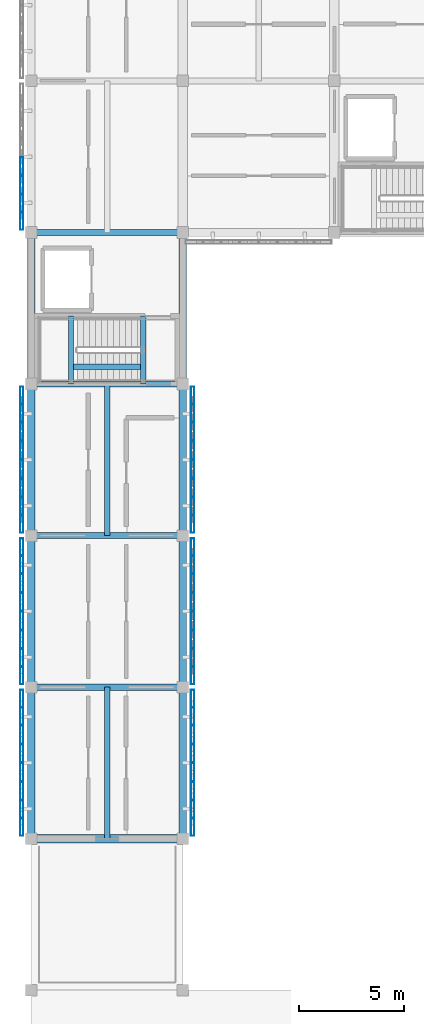
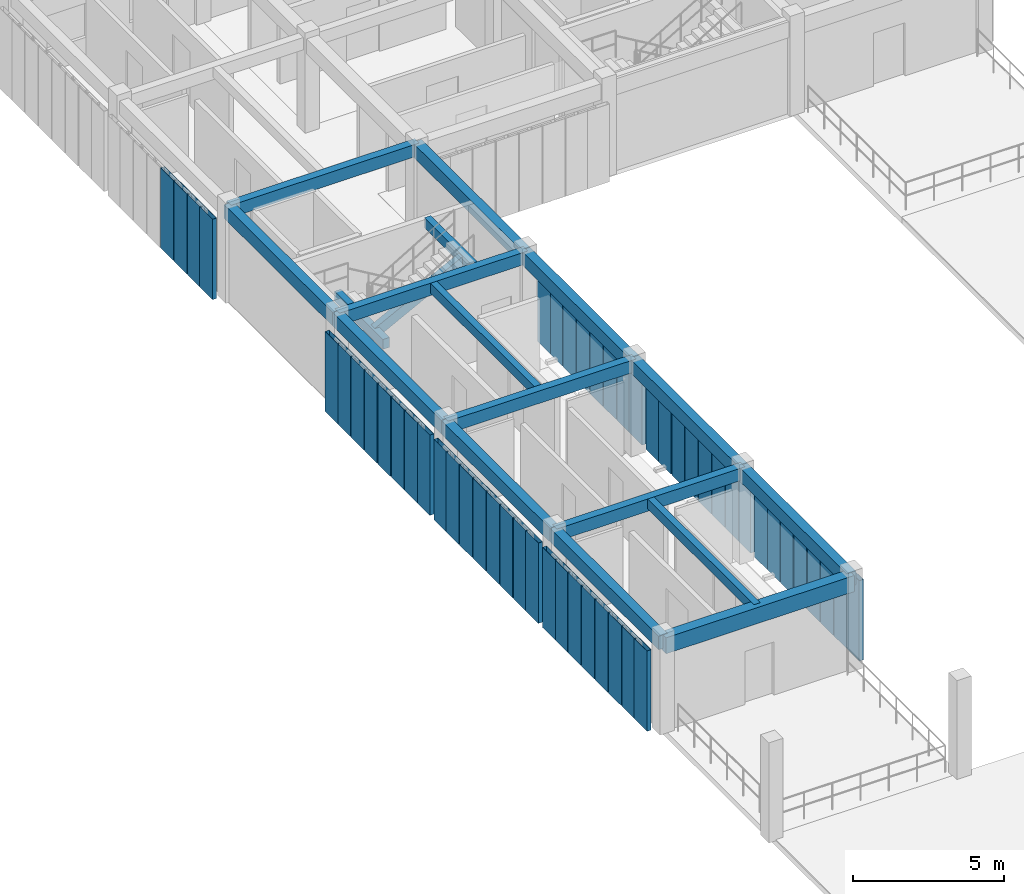
# One storey, part 3 of 33: 52 members, 18 beams, 7 elements without a shape of their own.
"""IFC4 building model written with IfcOpenShell, lengths in metres."""

import ifcopenshell
import ifcopenshell.guid

model = None  # the IFC model being written
_history = None  # IfcOwnerHistory: only IFC2X3 demands one
_inside = {}  # id of a spatial element -> (the spatial element, [elements in it])
_under = {}  # id of a project, library or spatial element -> (it, [spatial elements below it])
_declared = {}  # id of a project -> (the project, [libraries it declares])
_typed = {}  # id of a type object -> (the type object, [elements of that type])
_made_of = {}  # id of a material, layer set ... -> (it, [elements and type objects made of it])


def new_model(schema):
    """Start an empty IFC model of exactly this schema.

    Asked for "IFC4X3", IfcOpenShell would pick the latest addendum, in which some entities
    have other attributes; the version numbers below select the first issue.
    IFC2X3 requires an IfcOwnerHistory on every rooted entity: one is made here for all.
    """
    global model, _history
    if schema == "IFC4X3":
        model = ifcopenshell.file(schema_version=(4, 3, 0, 0))
    else:
        model = ifcopenshell.file(schema=schema)
    _inside.clear()
    _under.clear()
    _declared.clear()
    _typed.clear()
    _made_of.clear()
    _history = None
    if model.schema == "IFC2X3":
        org = make("IfcOrganization", Name="unknown")
        user = make(
            "IfcPersonAndOrganization",
            ThePerson=make("IfcPerson", FamilyName="unknown"),
            TheOrganization=org,
        )
        app = make(
            "IfcApplication",
            ApplicationDeveloper=org,
            Version="unknown",
            ApplicationFullName="unknown",
            ApplicationIdentifier="unknown",
        )
        _history = make(
            "IfcOwnerHistory",
            OwningUser=user,
            OwningApplication=app,
            ChangeAction="ADDED",
            CreationDate=0,
        )
    return model


def make(cls, **values):
    """One entity of the class cls with the attributes given. An attribute that is None is left unset."""
    return model.create_entity(
        cls, **{name: value for name, value in values.items() if value is not None}
    )


def rooted(cls, **values):
    """An entity with a GlobalId (a new one), such as an element, a storey or a relation."""
    return make(cls, GlobalId=ifcopenshell.guid.new(), OwnerHistory=_history, **values)


def si_unit(unit_type, name, prefix=None):
    """IfcSIUnit, for example si_unit("LENGTHUNIT", "METRE", prefix="MILLI")."""
    return make("IfcSIUnit", UnitType=unit_type, Prefix=prefix, Name=name)


def assignment(units):
    """IfcUnitAssignment: the units of a project."""
    return None if units is None else make("IfcUnitAssignment", Units=units)


def point(xyz):
    """IfcCartesianPoint."""
    return None if xyz is None else make("IfcCartesianPoint", Coordinates=xyz)


def direction(xyz):
    """IfcDirection."""
    return None if xyz is None else make("IfcDirection", DirectionRatios=xyz)


def frame(location, z_axis=None, x_axis=None):
    """IfcAxis2Placement3D, a coordinate frame: its origin and axes. An axis left out is left unset."""
    return make(
        "IfcAxis2Placement3D",
        Location=point(location),
        Axis=direction(z_axis),
        RefDirection=direction(x_axis),
    )


def frame_2d(location, x_axis=None):
    """IfcAxis2Placement2D, a coordinate frame in the plane: its origin and x axis."""
    return make(
        "IfcAxis2Placement2D", Location=point(location), RefDirection=direction(x_axis)
    )


def origin():
    """The frame at (0, 0, 0) with its axes left unset."""
    return frame((0.0, 0.0, 0.0))


def origin_2d():
    """The frame at (0, 0) in the plane with its x axis left unset."""
    return frame_2d((0.0, 0.0))


def place(relative_to, where):
    """IfcLocalPlacement: puts the frame where relative to a parent placement (None: the world)."""
    return make(
        "IfcLocalPlacement", PlacementRelTo=relative_to, RelativePlacement=where
    )


def context(
    kind, dimensions, precision=None, world=None, true_north=None, identifier=None
):
    """IfcGeometricRepresentationContext, for example the 3D "Model" context."""
    return make(
        "IfcGeometricRepresentationContext",
        ContextIdentifier=identifier,
        ContextType=kind,
        CoordinateSpaceDimension=dimensions,
        Precision=precision,
        WorldCoordinateSystem=world,
        TrueNorth=true_north,
    )


def subcontext(parent, identifier, kind, view, scale=None):
    """IfcGeometricRepresentationSubContext, for example "Body" below "Model"."""
    return make(
        "IfcGeometricRepresentationSubContext",
        ContextIdentifier=identifier,
        ContextType=kind,
        ParentContext=parent,
        TargetScale=scale,
        TargetView=view,
    )


def project(units=None, contexts=None):
    """IfcProject with its units and contexts."""
    return rooted(
        "IfcProject",
        Name="project",
        RepresentationContexts=contexts,
        UnitsInContext=assignment(units),
    )


def spatial(cls, under=None, at=None, **own):
    """A site, building, storey or space (cls), placed at a placement, below another one or the project."""
    s = rooted(cls, ObjectPlacement=at, **own)
    if under is not None:
        _under.setdefault(under.id(), (under, []))[1].append(s)
    return s


def profile(cls, at=None, kind="AREA", **sizes):
    """A parametric profile (cls). Its sizes go by their IFC names, for example OverallWidth=200.0."""
    return make(cls, ProfileType=kind, Position=at, **sizes)


def rectangle(**sizes):
    """IfcRectangleProfileDef."""
    return profile("IfcRectangleProfileDef", **sizes)


def hollow_rectangle(**sizes):
    """IfcRectangleHollowProfileDef."""
    return profile("IfcRectangleHollowProfileDef", **sizes)


def extrude(swept, where, along, depth):
    """IfcExtrudedAreaSolid: the profile swept, set in the frame where, extruded along a direction by depth."""
    return make(
        "IfcExtrudedAreaSolid",
        SweptArea=swept,
        Position=where,
        ExtrudedDirection=direction(along),
        Depth=depth,
    )


def shape(context_of_items, identifier, shape_type, items):
    """IfcShapeRepresentation: the items that make up one representation, for example the "Body"."""
    return make(
        "IfcShapeRepresentation",
        ContextOfItems=context_of_items,
        RepresentationIdentifier=identifier,
        RepresentationType=shape_type,
        Items=items,
    )


def material(Name=None, Category=None):
    """IfcMaterial."""
    return make("IfcMaterial", Name=Name, Category=Category)


def material_profile(
    of_material, cross_section, Name=None, Category=None, Priority=None
):
    """IfcMaterialProfile: a cross section and its material."""
    return make(
        "IfcMaterialProfile",
        Name=Name,
        Material=of_material,
        Profile=cross_section,
        Priority=Priority,
        Category=Category,
    )


def profile_set(profiles, Name=None, composite=None):
    """IfcMaterialProfileSet."""
    return make(
        "IfcMaterialProfileSet",
        Name=Name,
        MaterialProfiles=profiles,
        CompositeProfile=composite,
    )


def made_of(thing, what):
    """Note that an element or type object is made of a material, layer set ...; save() writes the relation."""
    if what is not None:
        _made_of.setdefault(what.id(), (what, []))[1].append(thing)
    return thing


def type_object(cls, material=None, **own):
    """A type object (cls), such as IfcWallType, which elements share."""
    return made_of(rooted(cls, **own), material)


def element(
    cls,
    number,
    at=None,
    inside=None,
    cuts=None,
    type_object=None,
    material=None,
    context=None,
    identifier="Body",
    shape_type=None,
    held_by="IfcProductDefinitionShape",
    body=None,
    shapes=None,
    **own,
):
    """One element of the class cls, such as IfcWall. Its Tag is "e" and its number.

    at: its placement. inside: the storey or other place that contains it. cuts: it is an
    opening in that element (IfcRelVoidsElement). A single representation is given by context,
    identifier, shape_type and body (its items); several are given by shapes. held_by: the class
    of the entity that holds the representations. save() writes the other relations.
    """
    e = rooted(cls, Tag="e%d" % number, ObjectPlacement=at, **own)
    if body is not None:
        shapes = [shape(context, identifier, shape_type, body)]
    if shapes is not None:
        e.Representation = make(held_by, Representations=shapes)
    if inside is not None:
        _inside.setdefault(inside.id(), (inside, []))[1].append(e)
    if cuts is not None:
        rooted(
            "IfcRelVoidsElement", RelatingBuildingElement=cuts, RelatedOpeningElement=e
        )
    if type_object is not None:
        _typed.setdefault(type_object.id(), (type_object, []))[1].append(e)
    return made_of(e, material)


def aggregate(whole, parts):
    """IfcRelAggregates: a whole, such as a stair, and the parts it consists of."""
    return rooted("IfcRelAggregates", RelatingObject=whole, RelatedObjects=parts)


def save(model, path):
    """Write the relations noted so far, then the file.

    IfcRelAggregates (storeys below a building ...), IfcRelContainedInSpatialStructure (elements
    in a storey), IfcRelDefinesByType, IfcRelAssociatesMaterial and IfcRelDeclares: one each for
    every whole, place, type object, material and project.
    """
    for whole, parts in _under.values():
        aggregate(whole, parts)
    for where, things in _inside.values():
        rooted(
            "IfcRelContainedInSpatialStructure",
            RelatedElements=things,
            RelatingStructure=where,
        )
    for kind, things in _typed.values():
        rooted("IfcRelDefinesByType", RelatedObjects=things, RelatingType=kind)
    for what, things in _made_of.values():
        rooted("IfcRelAssociatesMaterial", RelatedObjects=things, RelatingMaterial=what)
    for by, libraries in _declared.values():
        rooted("IfcRelDeclares", RelatingContext=by, RelatedDefinitions=libraries)
    model.write(path)


model = new_model("IFC4")

# Units and contexts
model_context = context("Model", 3, precision=1e-05, world=origin(), true_north=direction((0.0, 1.0)))
body_context = subcontext(model_context, "Body", "Model", "MODEL_VIEW")
ifc_project = project(units=[si_unit("LENGTHUNIT", "METRE"), si_unit("AREAUNIT", "SQUARE_METRE"), si_unit("VOLUMEUNIT", "CUBIC_METRE"), si_unit("PLANEANGLEUNIT", "RADIAN"), si_unit("MASSUNIT", "GRAM", prefix="KILO")], contexts=[model_context])

# Site, building, storey
site_placement = place(None, origin())
site = spatial("IfcSite", under=ifc_project, at=site_placement, CompositionType="ELEMENT")
building_placement = place(site_placement, origin())
building = spatial("IfcBuilding", under=site, at=building_placement, Name="Aldebral Square Health Centre", CompositionType="ELEMENT")
storey_placement = place(building_placement, frame((0.0, 0.0, 17.550048828125)))
storey = spatial("IfcBuildingStorey", under=building, at=storey_placement, Name="L04", CompositionType="ELEMENT", Elevation=17.550048828125)

# Beams
ifc_material_1 = material(Name="Concrete C40/50", Category="concrete")
ifc_material_profile_1 = material_profile(ifc_material_1, rectangle(XDim=0.39990234375, YDim=0.64990234375, at=origin_2d()), Name="RC 400x650")
ifc_profile_set_1 = profile_set([ifc_material_profile_1], Name="Concrete C40/50")
beam_type_1 = type_object("IfcBeamType", Name="BM-B1", PredefinedType="BEAM", material=ifc_profile_set_1)
beam_1_placement = place(storey_placement, frame((0.0, 72.0, 3.474853515625), z_axis=(1.0, 0.0, 0.0), x_axis=(0.0, 1.0, 0.0)))
element("IfcBeam", 1, at=beam_1_placement, inside=storey, type_object=beam_type_1, Name="L04 X-beam 1-2/G11", PredefinedType="BEAM", context=body_context, shape_type="SweptSolid", body=[
    extrude(rectangle(XDim=0.39990234375, YDim=0.64990234375, at=origin_2d()), origin(), (0.0, 0.0, 1.0), 7.199951171875),
])
ifc_material_profile_2 = material_profile(ifc_material_1, rectangle(XDim=0.35009765625, YDim=0.550048828125, at=origin_2d()), Name="RC 350x550")
ifc_profile_set_2 = profile_set([ifc_material_profile_2], Name="Concrete C40/50")
beam_type_2 = type_object("IfcBeamType", Name="BM-B3", PredefinedType="BEAM", material=ifc_profile_set_2)
for number, where, z_axis, x_axis, name in (
    (2, (0.0, 72.0, 3.52490234375), (0.0, 1.0, 0.0), (-1.0, 0.0, 0.0), "L04 Y-beam G1/11-12"),
    (3, (0.0, 79.199951171875, 3.52490234375), (0.0, 1.0, 0.0), (-1.0, 0.0, 0.0), "L04 Y-beam G1/12-13"),
):
    element("IfcBeam", number, at=place(storey_placement, frame(where, z_axis=z_axis, x_axis=x_axis)), inside=storey, type_object=beam_type_2, Name=name, PredefinedType="BEAM", context=body_context, shape_type="SweptSolid", body=[
        extrude(rectangle(XDim=0.35009765625, YDim=0.550048828125, at=origin_2d()), origin(), (0.0, 0.0, 1.0), 7.199951171875),
    ])
beam_2_placement = place(storey_placement, frame((0.0, 86.39990234375, 3.52490234375), z_axis=(0.0, 1.0, 0.0), x_axis=(-1.0, 0.0, 0.0)))
element("IfcBeam", 4, at=beam_2_placement, inside=storey, type_object=beam_type_2, Name="L04 Y-beam G1/13-14", PredefinedType="BEAM", context=body_context, shape_type="SweptSolid", body=[
    extrude(rectangle(XDim=0.35009765625, YDim=0.550048828125, at=origin_2d()), origin(), (0.0, 0.0, 1.0), 7.2001953125),
])
for number, where, z_axis, x_axis, name in (
    (5, (0.0, 93.60009765625, 3.52490234375), (0.0, 1.0, 0.0), (-1.0, 0.0, 0.0), "L04 Y-beam G1/14-15"),
    (6, (7.199951171875, 72.0, 3.52490234375), (0.0, 1.0, 0.0), (-1.0, 0.0, 0.0), "L04 Y-beam G2/11-12"),
    (7, (7.199951171875, 79.199951171875, 3.52490234375), (0.0, 1.0, 0.0), (-1.0, 0.0, 0.0), "L04 Y-beam G2/12-13"),
):
    element("IfcBeam", number, at=place(storey_placement, frame(where, z_axis=z_axis, x_axis=x_axis)), inside=storey, type_object=beam_type_2, Name=name, PredefinedType="BEAM", context=body_context, shape_type="SweptSolid", body=[
        extrude(rectangle(XDim=0.35009765625, YDim=0.550048828125, at=origin_2d()), origin(), (0.0, 0.0, 1.0), 7.199951171875),
    ])
beam_3_placement = place(storey_placement, frame((7.199951171875, 86.39990234375, 3.52490234375), z_axis=(0.0, 1.0, 0.0), x_axis=(-1.0, 0.0, 0.0)))
element("IfcBeam", 8, at=beam_3_placement, inside=storey, type_object=beam_type_2, Name="L04 Y-beam G2/13-14", PredefinedType="BEAM", context=body_context, shape_type="SweptSolid", body=[
    extrude(rectangle(XDim=0.35009765625, YDim=0.550048828125, at=origin_2d()), origin(), (0.0, 0.0, 1.0), 7.2001953125),
])
beam_4_placement = place(storey_placement, frame((7.199951171875, 93.60009765625, 3.52490234375), z_axis=(0.0, 1.0, 0.0), x_axis=(-1.0, 0.0, 0.0)))
element("IfcBeam", 9, at=beam_4_placement, inside=storey, type_object=beam_type_2, Name="L04 Y-beam G2/14-15", PredefinedType="BEAM", context=body_context, shape_type="SweptSolid", body=[
    extrude(rectangle(XDim=0.35009765625, YDim=0.550048828125, at=origin_2d()), origin(), (0.0, 0.0, 1.0), 7.199951171875),
])
ifc_material_profile_3 = material_profile(ifc_material_1, rectangle(XDim=0.300048828125, YDim=0.5, at=origin_2d()), Name="RC 300x500")
ifc_profile_set_3 = profile_set([ifc_material_profile_3], Name="Concrete C40/50")
beam_type_3 = type_object("IfcBeamType", Name="BM-B4", PredefinedType="BEAM", material=ifc_profile_set_3)
for number, where, z_axis, x_axis, name in (
    (10, (0.0, 79.199951171875, 3.550048828125), (1.0, 0.0, 0.0), (0.0, 1.0, 0.0), "L04 X-beam 1-2/G12"),
    (11, (0.0, 86.39990234375, 3.550048828125), (1.0, 0.0, 0.0), (0.0, 1.0, 0.0), "L04 X-beam 1-2/G13"),
    (12, (0.0, 93.60009765625, 3.550048828125), (1.0, 0.0, 0.0), (0.0, 1.0, 0.0), "L04 X-beam 1-2/G14"),
    (13, (0.0, 100.800048828125, 3.550048828125), (1.0, 0.0, 0.0), (0.0, 1.0, 0.0), "L04 X-beam 1-2/G15"),
):
    element("IfcBeam", number, at=place(storey_placement, frame(where, z_axis=z_axis, x_axis=x_axis)), inside=storey, type_object=beam_type_3, Name=name, PredefinedType="BEAM", context=body_context, shape_type="SweptSolid", body=[
        extrude(rectangle(XDim=0.300048828125, YDim=0.5, at=origin_2d()), origin(), (0.0, 0.0, 1.0), 7.199951171875),
    ])
ifc_material_profile_4 = material_profile(ifc_material_1, rectangle(XDim=0.25, YDim=0.39990234375, at=origin_2d()), Name="RC 250x400")
ifc_profile_set_4 = profile_set([ifc_material_profile_4], Name="Concrete C40/50")
beam_type_4 = type_object("IfcBeamType", Name="BM-B6", PredefinedType="JOIST", material=ifc_profile_set_4)
beam_5_placement = place(storey_placement, frame((3.60009765625, 72.0, 3.599853515625), z_axis=(0.0, 1.0, 0.0), x_axis=(-1.0, 0.0, 0.0)))
element("IfcBeam", 14, at=beam_5_placement, inside=storey, type_object=beam_type_4, Name="L04 secondary rib 1.11", PredefinedType="JOIST", context=body_context, shape_type="SweptSolid", body=[
    extrude(rectangle(XDim=0.25, YDim=0.39990234375, at=origin_2d()), origin(), (0.0, 0.0, 1.0), 7.199951171875),
])
beam_6_placement = place(storey_placement, frame((3.60009765625, 86.39990234375, 3.599853515625), z_axis=(0.0, 1.0, 0.0), x_axis=(-1.0, 0.0, 0.0)))
element("IfcBeam", 15, at=beam_6_placement, inside=storey, type_object=beam_type_4, Name="L04 secondary rib 1.13", PredefinedType="JOIST", context=body_context, shape_type="SweptSolid", body=[
    extrude(rectangle(XDim=0.25, YDim=0.39990234375, at=origin_2d()), origin(), (0.0, 0.0, 1.0), 7.2001953125),
])
for number, where, z_axis, x_axis, name in (
    (16, (1.8798828125, 93.610107421875, 1.824951171875), (0.0, 1.0, 0.0), (-1.0, 0.0, 0.0), "L04 WC-C1 half-landing beam"),
    (17, (5.320068359375, 93.610107421875, 3.599853515625), (0.0, 1.0, 0.0), (-1.0, 0.0, 0.0), "L04 WC-C1 upper landing beam"),
):
    element("IfcBeam", number, at=place(storey_placement, frame(where, z_axis=z_axis, x_axis=x_axis)), inside=storey, type_object=beam_type_4, Name=name, PredefinedType="JOIST", context=body_context, shape_type="SweptSolid", body=[
        extrude(rectangle(XDim=0.25, YDim=0.39990234375, at=origin_2d()), origin(), (0.0, 0.0, 1.0), 3.219970703125),
    ])
beam_7_placement = place(storey_placement, frame((1.8798828125, 94.419921875, 1.824951171875), z_axis=(0.888691954156, 0.0, 0.458504755284), x_axis=(0.0, 1.0, 0.0)))
element("IfcBeam", 18, at=beam_7_placement, inside=storey, type_object=beam_type_4, Name="L04 WC-C1 flight stringer beam", PredefinedType="JOIST", context=body_context, shape_type="SweptSolid", body=[
    extrude(rectangle(XDim=0.25, YDim=0.39990234375, at=origin_2d()), origin(), (0.0, 0.0, 1.0), 3.87109375),
])

# Curtain wall, members
ifc_material_2 = material(Name="Aluminium and low-E solar glass", Category="aluminium")
curtain_wall_type = type_object("IfcCurtainWallType", Name="CW-FIN-SYS", PredefinedType="USERDEFINED", material=ifc_material_2)
curtain_wall_1_placement = place(storey_placement, origin())
curtain_wall_1 = element("IfcCurtainWall", 19, at=curtain_wall_1_placement, inside=storey, type_object=curtain_wall_type, Name="L04 V4 finned curtain wall L04-V4-00-10-W", ObjectType="SOLAR_CURTAIN_WALL", PredefinedType="USERDEFINED")
ifc_material_3 = material(Name="Sienna-terracotta clad aluminium fin", Category="masonry")
ifc_material_profile_5 = material_profile(ifc_material_3, hollow_rectangle(XDim=0.159912109375, YDim=0.85009765625, WallThickness=0.006103515625, at=origin_2d()), Name="FIN 160x850x6")
ifc_profile_set_5 = profile_set([ifc_material_profile_5], Name="Sienna-terracotta clad aluminium fin")
member_type = type_object("IfcMemberType", Name="CWM-FIN", PredefinedType="MULLION", material=ifc_profile_set_5)
member_1_placement = place(storey_placement, frame((-0.4599609375, 78.639892578125, 0.0), z_axis=(0.0, 0.0, 1.0), x_axis=(1.0, 0.0, 0.0)))
member_1 = element("IfcMember", 20, at=member_1_placement, type_object=member_type, Name="CW1 mullion 1", PredefinedType="MULLION", context=body_context, shape_type="SweptSolid", body=[
    extrude(hollow_rectangle(XDim=0.159912109375, YDim=0.85009765625, WallThickness=0.006103515625, at=origin_2d()), origin(), (0.0, 0.0, 1.0), 3.25),
])
member_2_placement = place(storey_placement, frame((-0.4599609375, 77.82861328125, 0.0), z_axis=(0.0, 0.0, 1.0), x_axis=(1.0, 0.0, 0.0)))
member_2 = element("IfcMember", 21, at=member_2_placement, type_object=member_type, Name="CW1 mullion 2", PredefinedType="MULLION", context=body_context, shape_type="SweptSolid", body=[
    extrude(hollow_rectangle(XDim=0.159912109375, YDim=0.85009765625, WallThickness=0.006103515625, at=origin_2d()), origin(), (0.0, 0.0, 1.0), 3.25),
])
member_3_placement = place(storey_placement, frame((-0.4599609375, 76.937255859375, 0.0), z_axis=(0.0, 0.0, 1.0), x_axis=(1.0, 0.0, 0.0)))
member_3 = element("IfcMember", 22, at=member_3_placement, type_object=member_type, Name="CW1 mullion 3", PredefinedType="MULLION", context=body_context, shape_type="SweptSolid", body=[
    extrude(hollow_rectangle(XDim=0.159912109375, YDim=0.85009765625, WallThickness=0.006103515625, at=origin_2d()), origin(), (0.0, 0.0, 1.0), 3.25),
])
member_4_placement = place(storey_placement, frame((-0.4599609375, 76.045654296875, 0.0), z_axis=(0.0, 0.0, 1.0), x_axis=(1.0, 0.0, 0.0)))
member_4 = element("IfcMember", 23, at=member_4_placement, type_object=member_type, Name="CW1 mullion 4", PredefinedType="MULLION", context=body_context, shape_type="SweptSolid", body=[
    extrude(hollow_rectangle(XDim=0.159912109375, YDim=0.85009765625, WallThickness=0.006103515625, at=origin_2d()), origin(), (0.0, 0.0, 1.0), 3.25),
])
member_5_placement = place(storey_placement, frame((-0.4599609375, 75.154296875, 0.0), z_axis=(0.0, 0.0, 1.0), x_axis=(1.0, 0.0, 0.0)))
member_5 = element("IfcMember", 24, at=member_5_placement, type_object=member_type, Name="CW1 mullion 5", PredefinedType="MULLION", context=body_context, shape_type="SweptSolid", body=[
    extrude(hollow_rectangle(XDim=0.159912109375, YDim=0.85009765625, WallThickness=0.006103515625, at=origin_2d()), origin(), (0.0, 0.0, 1.0), 3.25),
])
member_6_placement = place(storey_placement, frame((-0.4599609375, 74.262939453125, 0.0), z_axis=(0.0, 0.0, 1.0), x_axis=(1.0, 0.0, 0.0)))
member_6 = element("IfcMember", 25, at=member_6_placement, type_object=member_type, Name="CW1 mullion 6", PredefinedType="MULLION", context=body_context, shape_type="SweptSolid", body=[
    extrude(hollow_rectangle(XDim=0.159912109375, YDim=0.85009765625, WallThickness=0.006103515625, at=origin_2d()), origin(), (0.0, 0.0, 1.0), 3.25),
])
member_7_placement = place(storey_placement, frame((-0.4599609375, 73.371337890625, 0.0), z_axis=(0.0, 0.0, 1.0), x_axis=(1.0, 0.0, 0.0)))
member_7 = element("IfcMember", 26, at=member_7_placement, type_object=member_type, Name="CW1 mullion 7", PredefinedType="MULLION", context=body_context, shape_type="SweptSolid", body=[
    extrude(hollow_rectangle(XDim=0.159912109375, YDim=0.85009765625, WallThickness=0.006103515625, at=origin_2d()), origin(), (0.0, 0.0, 1.0), 3.25),
])
member_8_placement = place(storey_placement, frame((-0.4599609375, 72.56005859375, 0.0), z_axis=(0.0, 0.0, 1.0), x_axis=(1.0, 0.0, 0.0)))
member_8 = element("IfcMember", 27, at=member_8_placement, type_object=member_type, Name="CW1 mullion 8", PredefinedType="MULLION", context=body_context, shape_type="SweptSolid", body=[
    extrude(hollow_rectangle(XDim=0.159912109375, YDim=0.85009765625, WallThickness=0.006103515625, at=origin_2d()), origin(), (0.0, 0.0, 1.0), 3.25),
])
aggregate(curtain_wall_1, [member_1, member_2, member_3, member_4, member_5, member_6, member_7, member_8])

curtain_wall_2_placement = place(storey_placement, origin())
curtain_wall_2 = element("IfcCurtainWall", 28, at=curtain_wall_2_placement, inside=storey, type_object=curtain_wall_type, Name="L04 V4 finned curtain wall L04-V4-00-10-E", ObjectType="SOLAR_CURTAIN_WALL", PredefinedType="USERDEFINED")
member_9_placement = place(storey_placement, frame((7.659912109375, 72.56005859375, 0.0), z_axis=(0.0, 0.0, 1.0), x_axis=(-1.0, 0.0, 0.0)))
member_9 = element("IfcMember", 29, at=member_9_placement, type_object=member_type, Name="CW1 mullion 1", PredefinedType="MULLION", context=body_context, shape_type="SweptSolid", body=[
    extrude(hollow_rectangle(XDim=0.159912109375, YDim=0.85009765625, WallThickness=0.006103515625, at=origin_2d()), origin(), (0.0, 0.0, 1.0), 3.25),
])
member_10_placement = place(storey_placement, frame((7.659912109375, 73.371337890625, 0.0), z_axis=(0.0, 0.0, 1.0), x_axis=(-1.0, 0.0, 0.0)))
member_10 = element("IfcMember", 30, at=member_10_placement, type_object=member_type, Name="CW1 mullion 2", PredefinedType="MULLION", context=body_context, shape_type="SweptSolid", body=[
    extrude(hollow_rectangle(XDim=0.159912109375, YDim=0.85009765625, WallThickness=0.006103515625, at=origin_2d()), origin(), (0.0, 0.0, 1.0), 3.25),
])
member_11_placement = place(storey_placement, frame((7.659912109375, 74.262939453125, 0.0), z_axis=(0.0, 0.0, 1.0), x_axis=(-1.0, 0.0, 0.0)))
member_11 = element("IfcMember", 31, at=member_11_placement, type_object=member_type, Name="CW1 mullion 3", PredefinedType="MULLION", context=body_context, shape_type="SweptSolid", body=[
    extrude(hollow_rectangle(XDim=0.159912109375, YDim=0.85009765625, WallThickness=0.006103515625, at=origin_2d()), origin(), (0.0, 0.0, 1.0), 3.25),
])
member_12_placement = place(storey_placement, frame((7.659912109375, 75.154296875, 0.0), z_axis=(0.0, 0.0, 1.0), x_axis=(-1.0, 0.0, 0.0)))
member_12 = element("IfcMember", 32, at=member_12_placement, type_object=member_type, Name="CW1 mullion 4", PredefinedType="MULLION", context=body_context, shape_type="SweptSolid", body=[
    extrude(hollow_rectangle(XDim=0.159912109375, YDim=0.85009765625, WallThickness=0.006103515625, at=origin_2d()), origin(), (0.0, 0.0, 1.0), 3.25),
])
member_13_placement = place(storey_placement, frame((7.659912109375, 76.045654296875, 0.0), z_axis=(0.0, 0.0, 1.0), x_axis=(-1.0, 0.0, 0.0)))
member_13 = element("IfcMember", 33, at=member_13_placement, type_object=member_type, Name="CW1 mullion 5", PredefinedType="MULLION", context=body_context, shape_type="SweptSolid", body=[
    extrude(hollow_rectangle(XDim=0.159912109375, YDim=0.85009765625, WallThickness=0.006103515625, at=origin_2d()), origin(), (0.0, 0.0, 1.0), 3.25),
])
member_14_placement = place(storey_placement, frame((7.659912109375, 76.937255859375, 0.0), z_axis=(0.0, 0.0, 1.0), x_axis=(-1.0, 0.0, 0.0)))
member_14 = element("IfcMember", 34, at=member_14_placement, type_object=member_type, Name="CW1 mullion 6", PredefinedType="MULLION", context=body_context, shape_type="SweptSolid", body=[
    extrude(hollow_rectangle(XDim=0.159912109375, YDim=0.85009765625, WallThickness=0.006103515625, at=origin_2d()), origin(), (0.0, 0.0, 1.0), 3.25),
])
member_15_placement = place(storey_placement, frame((7.659912109375, 77.82861328125, 0.0), z_axis=(0.0, 0.0, 1.0), x_axis=(-1.0, 0.0, 0.0)))
member_15 = element("IfcMember", 35, at=member_15_placement, type_object=member_type, Name="CW1 mullion 7", PredefinedType="MULLION", context=body_context, shape_type="SweptSolid", body=[
    extrude(hollow_rectangle(XDim=0.159912109375, YDim=0.85009765625, WallThickness=0.006103515625, at=origin_2d()), origin(), (0.0, 0.0, 1.0), 3.25),
])
member_16_placement = place(storey_placement, frame((7.659912109375, 78.639892578125, 0.0), z_axis=(0.0, 0.0, 1.0), x_axis=(-1.0, 0.0, 0.0)))
member_16 = element("IfcMember", 36, at=member_16_placement, type_object=member_type, Name="CW1 mullion 8", PredefinedType="MULLION", context=body_context, shape_type="SweptSolid", body=[
    extrude(hollow_rectangle(XDim=0.159912109375, YDim=0.85009765625, WallThickness=0.006103515625, at=origin_2d()), origin(), (0.0, 0.0, 1.0), 3.25),
])
aggregate(curtain_wall_2, [member_9, member_10, member_11, member_12, member_13, member_14, member_15, member_16])

curtain_wall_3_placement = place(storey_placement, origin())
curtain_wall_3 = element("IfcCurtainWall", 37, at=curtain_wall_3_placement, inside=storey, type_object=curtain_wall_type, Name="L04 V4 finned curtain wall L04-V4-00-11-W", ObjectType="SOLAR_CURTAIN_WALL", PredefinedType="USERDEFINED")
member_17_placement = place(storey_placement, frame((-0.4599609375, 85.840087890625, 0.0), z_axis=(0.0, 0.0, 1.0), x_axis=(1.0, 0.0, 0.0)))
member_17 = element("IfcMember", 38, at=member_17_placement, type_object=member_type, Name="CW1 mullion 1", PredefinedType="MULLION", context=body_context, shape_type="SweptSolid", body=[
    extrude(hollow_rectangle(XDim=0.159912109375, YDim=0.85009765625, WallThickness=0.006103515625, at=origin_2d()), origin(), (0.0, 0.0, 1.0), 3.25),
])
member_18_placement = place(storey_placement, frame((-0.4599609375, 85.028564453125, 0.0), z_axis=(0.0, 0.0, 1.0), x_axis=(1.0, 0.0, 0.0)))
member_18 = element("IfcMember", 39, at=member_18_placement, type_object=member_type, Name="CW1 mullion 2", PredefinedType="MULLION", context=body_context, shape_type="SweptSolid", body=[
    extrude(hollow_rectangle(XDim=0.159912109375, YDim=0.85009765625, WallThickness=0.006103515625, at=origin_2d()), origin(), (0.0, 0.0, 1.0), 3.25),
])
member_19_placement = place(storey_placement, frame((-0.4599609375, 84.13720703125, 0.0), z_axis=(0.0, 0.0, 1.0), x_axis=(1.0, 0.0, 0.0)))
member_19 = element("IfcMember", 40, at=member_19_placement, type_object=member_type, Name="CW1 mullion 3", PredefinedType="MULLION", context=body_context, shape_type="SweptSolid", body=[
    extrude(hollow_rectangle(XDim=0.159912109375, YDim=0.85009765625, WallThickness=0.006103515625, at=origin_2d()), origin(), (0.0, 0.0, 1.0), 3.25),
])
member_20_placement = place(storey_placement, frame((-0.4599609375, 83.24560546875, 0.0), z_axis=(0.0, 0.0, 1.0), x_axis=(1.0, 0.0, 0.0)))
member_20 = element("IfcMember", 41, at=member_20_placement, type_object=member_type, Name="CW1 mullion 4", PredefinedType="MULLION", context=body_context, shape_type="SweptSolid", body=[
    extrude(hollow_rectangle(XDim=0.159912109375, YDim=0.85009765625, WallThickness=0.006103515625, at=origin_2d()), origin(), (0.0, 0.0, 1.0), 3.25),
])
member_21_placement = place(storey_placement, frame((-0.4599609375, 82.354248046875, 0.0), z_axis=(0.0, 0.0, 1.0), x_axis=(1.0, 0.0, 0.0)))
member_21 = element("IfcMember", 42, at=member_21_placement, type_object=member_type, Name="CW1 mullion 5", PredefinedType="MULLION", context=body_context, shape_type="SweptSolid", body=[
    extrude(hollow_rectangle(XDim=0.159912109375, YDim=0.85009765625, WallThickness=0.006103515625, at=origin_2d()), origin(), (0.0, 0.0, 1.0), 3.25),
])
member_22_placement = place(storey_placement, frame((-0.4599609375, 81.462890625, 0.0), z_axis=(0.0, 0.0, 1.0), x_axis=(1.0, 0.0, 0.0)))
member_22 = element("IfcMember", 43, at=member_22_placement, type_object=member_type, Name="CW1 mullion 6", PredefinedType="MULLION", context=body_context, shape_type="SweptSolid", body=[
    extrude(hollow_rectangle(XDim=0.159912109375, YDim=0.85009765625, WallThickness=0.006103515625, at=origin_2d()), origin(), (0.0, 0.0, 1.0), 3.25),
])
member_23_placement = place(storey_placement, frame((-0.4599609375, 80.571533203125, 0.0), z_axis=(0.0, 0.0, 1.0), x_axis=(1.0, 0.0, 0.0)))
member_23 = element("IfcMember", 44, at=member_23_placement, type_object=member_type, Name="CW1 mullion 7", PredefinedType="MULLION", context=body_context, shape_type="SweptSolid", body=[
    extrude(hollow_rectangle(XDim=0.159912109375, YDim=0.85009765625, WallThickness=0.006103515625, at=origin_2d()), origin(), (0.0, 0.0, 1.0), 3.25),
])
member_24_placement = place(storey_placement, frame((-0.4599609375, 79.760009765625, 0.0), z_axis=(0.0, 0.0, 1.0), x_axis=(1.0, 0.0, 0.0)))
member_24 = element("IfcMember", 45, at=member_24_placement, type_object=member_type, Name="CW1 mullion 8", PredefinedType="MULLION", context=body_context, shape_type="SweptSolid", body=[
    extrude(hollow_rectangle(XDim=0.159912109375, YDim=0.85009765625, WallThickness=0.006103515625, at=origin_2d()), origin(), (0.0, 0.0, 1.0), 3.25),
])
aggregate(curtain_wall_3, [member_17, member_18, member_19, member_20, member_21, member_22, member_23, member_24])

curtain_wall_4_placement = place(storey_placement, origin())
curtain_wall_4 = element("IfcCurtainWall", 46, at=curtain_wall_4_placement, inside=storey, type_object=curtain_wall_type, Name="L04 V4 finned curtain wall L04-V4-00-11-E", ObjectType="SOLAR_CURTAIN_WALL", PredefinedType="USERDEFINED")
member_25_placement = place(storey_placement, frame((7.659912109375, 79.760009765625, 0.0), z_axis=(0.0, 0.0, 1.0), x_axis=(-1.0, 0.0, 0.0)))
member_25 = element("IfcMember", 47, at=member_25_placement, type_object=member_type, Name="CW1 mullion 1", PredefinedType="MULLION", context=body_context, shape_type="SweptSolid", body=[
    extrude(hollow_rectangle(XDim=0.159912109375, YDim=0.85009765625, WallThickness=0.006103515625, at=origin_2d()), origin(), (0.0, 0.0, 1.0), 3.25),
])
member_26_placement = place(storey_placement, frame((7.659912109375, 80.571533203125, 0.0), z_axis=(0.0, 0.0, 1.0), x_axis=(-1.0, 0.0, 0.0)))
member_26 = element("IfcMember", 48, at=member_26_placement, type_object=member_type, Name="CW1 mullion 2", PredefinedType="MULLION", context=body_context, shape_type="SweptSolid", body=[
    extrude(hollow_rectangle(XDim=0.159912109375, YDim=0.85009765625, WallThickness=0.006103515625, at=origin_2d()), origin(), (0.0, 0.0, 1.0), 3.25),
])
member_27_placement = place(storey_placement, frame((7.659912109375, 81.462890625, 0.0), z_axis=(0.0, 0.0, 1.0), x_axis=(-1.0, 0.0, 0.0)))
member_27 = element("IfcMember", 49, at=member_27_placement, type_object=member_type, Name="CW1 mullion 3", PredefinedType="MULLION", context=body_context, shape_type="SweptSolid", body=[
    extrude(hollow_rectangle(XDim=0.159912109375, YDim=0.85009765625, WallThickness=0.006103515625, at=origin_2d()), origin(), (0.0, 0.0, 1.0), 3.25),
])
member_28_placement = place(storey_placement, frame((7.659912109375, 82.354248046875, 0.0), z_axis=(0.0, 0.0, 1.0), x_axis=(-1.0, 0.0, 0.0)))
member_28 = element("IfcMember", 50, at=member_28_placement, type_object=member_type, Name="CW1 mullion 4", PredefinedType="MULLION", context=body_context, shape_type="SweptSolid", body=[
    extrude(hollow_rectangle(XDim=0.159912109375, YDim=0.85009765625, WallThickness=0.006103515625, at=origin_2d()), origin(), (0.0, 0.0, 1.0), 3.25),
])
member_29_placement = place(storey_placement, frame((7.659912109375, 83.24560546875, 0.0), z_axis=(0.0, 0.0, 1.0), x_axis=(-1.0, 0.0, 0.0)))
member_29 = element("IfcMember", 51, at=member_29_placement, type_object=member_type, Name="CW1 mullion 5", PredefinedType="MULLION", context=body_context, shape_type="SweptSolid", body=[
    extrude(hollow_rectangle(XDim=0.159912109375, YDim=0.85009765625, WallThickness=0.006103515625, at=origin_2d()), origin(), (0.0, 0.0, 1.0), 3.25),
])
member_30_placement = place(storey_placement, frame((7.659912109375, 84.13720703125, 0.0), z_axis=(0.0, 0.0, 1.0), x_axis=(-1.0, 0.0, 0.0)))
member_30 = element("IfcMember", 52, at=member_30_placement, type_object=member_type, Name="CW1 mullion 6", PredefinedType="MULLION", context=body_context, shape_type="SweptSolid", body=[
    extrude(hollow_rectangle(XDim=0.159912109375, YDim=0.85009765625, WallThickness=0.006103515625, at=origin_2d()), origin(), (0.0, 0.0, 1.0), 3.25),
])
member_31_placement = place(storey_placement, frame((7.659912109375, 85.028564453125, 0.0), z_axis=(0.0, 0.0, 1.0), x_axis=(-1.0, 0.0, 0.0)))
member_31 = element("IfcMember", 53, at=member_31_placement, type_object=member_type, Name="CW1 mullion 7", PredefinedType="MULLION", context=body_context, shape_type="SweptSolid", body=[
    extrude(hollow_rectangle(XDim=0.159912109375, YDim=0.85009765625, WallThickness=0.006103515625, at=origin_2d()), origin(), (0.0, 0.0, 1.0), 3.25),
])
member_32_placement = place(storey_placement, frame((7.659912109375, 85.840087890625, 0.0), z_axis=(0.0, 0.0, 1.0), x_axis=(-1.0, 0.0, 0.0)))
member_32 = element("IfcMember", 54, at=member_32_placement, type_object=member_type, Name="CW1 mullion 8", PredefinedType="MULLION", context=body_context, shape_type="SweptSolid", body=[
    extrude(hollow_rectangle(XDim=0.159912109375, YDim=0.85009765625, WallThickness=0.006103515625, at=origin_2d()), origin(), (0.0, 0.0, 1.0), 3.25),
])
aggregate(curtain_wall_4, [member_25, member_26, member_27, member_28, member_29, member_30, member_31, member_32])

curtain_wall_5_placement = place(storey_placement, origin())
curtain_wall_5 = element("IfcCurtainWall", 55, at=curtain_wall_5_placement, inside=storey, type_object=curtain_wall_type, Name="L04 V4 finned curtain wall L04-V4-00-12-W", ObjectType="SOLAR_CURTAIN_WALL", PredefinedType="USERDEFINED")
member_33_placement = place(storey_placement, frame((-0.4599609375, 93.0400390625, 0.0), z_axis=(0.0, 0.0, 1.0), x_axis=(1.0, 0.0, 0.0)))
member_33 = element("IfcMember", 56, at=member_33_placement, type_object=member_type, Name="CW1 mullion 1", PredefinedType="MULLION", context=body_context, shape_type="SweptSolid", body=[
    extrude(hollow_rectangle(XDim=0.159912109375, YDim=0.85009765625, WallThickness=0.006103515625, at=origin_2d()), origin(), (0.0, 0.0, 1.0), 3.25),
])
member_34_placement = place(storey_placement, frame((-0.4599609375, 92.228515625, 0.0), z_axis=(0.0, 0.0, 1.0), x_axis=(1.0, 0.0, 0.0)))
member_34 = element("IfcMember", 57, at=member_34_placement, type_object=member_type, Name="CW1 mullion 2", PredefinedType="MULLION", context=body_context, shape_type="SweptSolid", body=[
    extrude(hollow_rectangle(XDim=0.159912109375, YDim=0.85009765625, WallThickness=0.006103515625, at=origin_2d()), origin(), (0.0, 0.0, 1.0), 3.25),
])
member_35_placement = place(storey_placement, frame((-0.4599609375, 91.337158203125, 0.0), z_axis=(0.0, 0.0, 1.0), x_axis=(1.0, 0.0, 0.0)))
member_35 = element("IfcMember", 58, at=member_35_placement, type_object=member_type, Name="CW1 mullion 3", PredefinedType="MULLION", context=body_context, shape_type="SweptSolid", body=[
    extrude(hollow_rectangle(XDim=0.159912109375, YDim=0.85009765625, WallThickness=0.006103515625, at=origin_2d()), origin(), (0.0, 0.0, 1.0), 3.25),
])
member_36_placement = place(storey_placement, frame((-0.4599609375, 90.44580078125, 0.0), z_axis=(0.0, 0.0, 1.0), x_axis=(1.0, 0.0, 0.0)))
member_36 = element("IfcMember", 59, at=member_36_placement, type_object=member_type, Name="CW1 mullion 4", PredefinedType="MULLION", context=body_context, shape_type="SweptSolid", body=[
    extrude(hollow_rectangle(XDim=0.159912109375, YDim=0.85009765625, WallThickness=0.006103515625, at=origin_2d()), origin(), (0.0, 0.0, 1.0), 3.25),
])
member_37_placement = place(storey_placement, frame((-0.4599609375, 89.55419921875, 0.0), z_axis=(0.0, 0.0, 1.0), x_axis=(1.0, 0.0, 0.0)))
member_37 = element("IfcMember", 60, at=member_37_placement, type_object=member_type, Name="CW1 mullion 5", PredefinedType="MULLION", context=body_context, shape_type="SweptSolid", body=[
    extrude(hollow_rectangle(XDim=0.159912109375, YDim=0.85009765625, WallThickness=0.006103515625, at=origin_2d()), origin(), (0.0, 0.0, 1.0), 3.25),
])
member_38_placement = place(storey_placement, frame((-0.4599609375, 88.662841796875, 0.0), z_axis=(0.0, 0.0, 1.0), x_axis=(1.0, 0.0, 0.0)))
member_38 = element("IfcMember", 61, at=member_38_placement, type_object=member_type, Name="CW1 mullion 6", PredefinedType="MULLION", context=body_context, shape_type="SweptSolid", body=[
    extrude(hollow_rectangle(XDim=0.159912109375, YDim=0.85009765625, WallThickness=0.006103515625, at=origin_2d()), origin(), (0.0, 0.0, 1.0), 3.25),
])
member_39_placement = place(storey_placement, frame((-0.4599609375, 87.771484375, 0.0), z_axis=(0.0, 0.0, 1.0), x_axis=(1.0, 0.0, 0.0)))
member_39 = element("IfcMember", 62, at=member_39_placement, type_object=member_type, Name="CW1 mullion 7", PredefinedType="MULLION", context=body_context, shape_type="SweptSolid", body=[
    extrude(hollow_rectangle(XDim=0.159912109375, YDim=0.85009765625, WallThickness=0.006103515625, at=origin_2d()), origin(), (0.0, 0.0, 1.0), 3.25),
])
member_40_placement = place(storey_placement, frame((-0.4599609375, 86.9599609375, 0.0), z_axis=(0.0, 0.0, 1.0), x_axis=(1.0, 0.0, 0.0)))
member_40 = element("IfcMember", 63, at=member_40_placement, type_object=member_type, Name="CW1 mullion 8", PredefinedType="MULLION", context=body_context, shape_type="SweptSolid", body=[
    extrude(hollow_rectangle(XDim=0.159912109375, YDim=0.85009765625, WallThickness=0.006103515625, at=origin_2d()), origin(), (0.0, 0.0, 1.0), 3.25),
])
aggregate(curtain_wall_5, [member_33, member_34, member_35, member_36, member_37, member_38, member_39, member_40])

curtain_wall_6_placement = place(storey_placement, origin())
curtain_wall_6 = element("IfcCurtainWall", 64, at=curtain_wall_6_placement, inside=storey, type_object=curtain_wall_type, Name="L04 V4 finned curtain wall L04-V4-00-12-E", ObjectType="SOLAR_CURTAIN_WALL", PredefinedType="USERDEFINED")
member_41_placement = place(storey_placement, frame((7.659912109375, 86.9599609375, 0.0), z_axis=(0.0, 0.0, 1.0), x_axis=(-1.0, 0.0, 0.0)))
member_41 = element("IfcMember", 65, at=member_41_placement, type_object=member_type, Name="CW1 mullion 1", PredefinedType="MULLION", context=body_context, shape_type="SweptSolid", body=[
    extrude(hollow_rectangle(XDim=0.159912109375, YDim=0.85009765625, WallThickness=0.006103515625, at=origin_2d()), origin(), (0.0, 0.0, 1.0), 3.25),
])
member_42_placement = place(storey_placement, frame((7.659912109375, 87.771484375, 0.0), z_axis=(0.0, 0.0, 1.0), x_axis=(-1.0, 0.0, 0.0)))
member_42 = element("IfcMember", 66, at=member_42_placement, type_object=member_type, Name="CW1 mullion 2", PredefinedType="MULLION", context=body_context, shape_type="SweptSolid", body=[
    extrude(hollow_rectangle(XDim=0.159912109375, YDim=0.85009765625, WallThickness=0.006103515625, at=origin_2d()), origin(), (0.0, 0.0, 1.0), 3.25),
])
member_43_placement = place(storey_placement, frame((7.659912109375, 88.662841796875, 0.0), z_axis=(0.0, 0.0, 1.0), x_axis=(-1.0, 0.0, 0.0)))
member_43 = element("IfcMember", 67, at=member_43_placement, type_object=member_type, Name="CW1 mullion 3", PredefinedType="MULLION", context=body_context, shape_type="SweptSolid", body=[
    extrude(hollow_rectangle(XDim=0.159912109375, YDim=0.85009765625, WallThickness=0.006103515625, at=origin_2d()), origin(), (0.0, 0.0, 1.0), 3.25),
])
member_44_placement = place(storey_placement, frame((7.659912109375, 89.55419921875, 0.0), z_axis=(0.0, 0.0, 1.0), x_axis=(-1.0, 0.0, 0.0)))
member_44 = element("IfcMember", 68, at=member_44_placement, type_object=member_type, Name="CW1 mullion 4", PredefinedType="MULLION", context=body_context, shape_type="SweptSolid", body=[
    extrude(hollow_rectangle(XDim=0.159912109375, YDim=0.85009765625, WallThickness=0.006103515625, at=origin_2d()), origin(), (0.0, 0.0, 1.0), 3.25),
])
member_45_placement = place(storey_placement, frame((7.659912109375, 90.44580078125, 0.0), z_axis=(0.0, 0.0, 1.0), x_axis=(-1.0, 0.0, 0.0)))
member_45 = element("IfcMember", 69, at=member_45_placement, type_object=member_type, Name="CW1 mullion 5", PredefinedType="MULLION", context=body_context, shape_type="SweptSolid", body=[
    extrude(hollow_rectangle(XDim=0.159912109375, YDim=0.85009765625, WallThickness=0.006103515625, at=origin_2d()), origin(), (0.0, 0.0, 1.0), 3.25),
])
member_46_placement = place(storey_placement, frame((7.659912109375, 91.337158203125, 0.0), z_axis=(0.0, 0.0, 1.0), x_axis=(-1.0, 0.0, 0.0)))
member_46 = element("IfcMember", 70, at=member_46_placement, type_object=member_type, Name="CW1 mullion 6", PredefinedType="MULLION", context=body_context, shape_type="SweptSolid", body=[
    extrude(hollow_rectangle(XDim=0.159912109375, YDim=0.85009765625, WallThickness=0.006103515625, at=origin_2d()), origin(), (0.0, 0.0, 1.0), 3.25),
])
member_47_placement = place(storey_placement, frame((7.659912109375, 92.228515625, 0.0), z_axis=(0.0, 0.0, 1.0), x_axis=(-1.0, 0.0, 0.0)))
member_47 = element("IfcMember", 71, at=member_47_placement, type_object=member_type, Name="CW1 mullion 7", PredefinedType="MULLION", context=body_context, shape_type="SweptSolid", body=[
    extrude(hollow_rectangle(XDim=0.159912109375, YDim=0.85009765625, WallThickness=0.006103515625, at=origin_2d()), origin(), (0.0, 0.0, 1.0), 3.25),
])
member_48_placement = place(storey_placement, frame((7.659912109375, 93.0400390625, 0.0), z_axis=(0.0, 0.0, 1.0), x_axis=(-1.0, 0.0, 0.0)))
member_48 = element("IfcMember", 72, at=member_48_placement, type_object=member_type, Name="CW1 mullion 8", PredefinedType="MULLION", context=body_context, shape_type="SweptSolid", body=[
    extrude(hollow_rectangle(XDim=0.159912109375, YDim=0.85009765625, WallThickness=0.006103515625, at=origin_2d()), origin(), (0.0, 0.0, 1.0), 3.25),
])
aggregate(curtain_wall_6, [member_41, member_42, member_43, member_44, member_45, member_46, member_47, member_48])

curtain_wall_7_placement = place(storey_placement, origin())
curtain_wall_7 = element("IfcCurtainWall", 73, at=curtain_wall_7_placement, inside=storey, type_object=curtain_wall_type, Name="L04 V4 finned curtain wall L04-V4-00-14-W", ObjectType="SOLAR_CURTAIN_WALL", PredefinedType="USERDEFINED")
member_49_placement = place(storey_placement, frame((-0.4599609375, 103.954345703125, 0.0), z_axis=(0.0, 0.0, 1.0), x_axis=(1.0, 0.0, 0.0)))
member_49 = element("IfcMember", 74, at=member_49_placement, type_object=member_type, Name="CW1 mullion 5", PredefinedType="MULLION", context=body_context, shape_type="SweptSolid", body=[
    extrude(hollow_rectangle(XDim=0.159912109375, YDim=0.85009765625, WallThickness=0.006103515625, at=origin_2d()), origin(), (0.0, 0.0, 1.0), 3.25),
])
member_50_placement = place(storey_placement, frame((-0.4599609375, 103.062744140625, 0.0), z_axis=(0.0, 0.0, 1.0), x_axis=(1.0, 0.0, 0.0)))
member_50 = element("IfcMember", 75, at=member_50_placement, type_object=member_type, Name="CW1 mullion 6", PredefinedType="MULLION", context=body_context, shape_type="SweptSolid", body=[
    extrude(hollow_rectangle(XDim=0.159912109375, YDim=0.85009765625, WallThickness=0.006103515625, at=origin_2d()), origin(), (0.0, 0.0, 1.0), 3.25),
])
member_51_placement = place(storey_placement, frame((-0.4599609375, 102.17138671875, 0.0), z_axis=(0.0, 0.0, 1.0), x_axis=(1.0, 0.0, 0.0)))
member_51 = element("IfcMember", 76, at=member_51_placement, type_object=member_type, Name="CW1 mullion 7", PredefinedType="MULLION", context=body_context, shape_type="SweptSolid", body=[
    extrude(hollow_rectangle(XDim=0.159912109375, YDim=0.85009765625, WallThickness=0.006103515625, at=origin_2d()), origin(), (0.0, 0.0, 1.0), 3.25),
])
member_52_placement = place(storey_placement, frame((-0.4599609375, 101.360107421875, 0.0), z_axis=(0.0, 0.0, 1.0), x_axis=(1.0, 0.0, 0.0)))
member_52 = element("IfcMember", 77, at=member_52_placement, type_object=member_type, Name="CW1 mullion 8", PredefinedType="MULLION", context=body_context, shape_type="SweptSolid", body=[
    extrude(hollow_rectangle(XDim=0.159912109375, YDim=0.85009765625, WallThickness=0.006103515625, at=origin_2d()), origin(), (0.0, 0.0, 1.0), 3.25),
])
aggregate(curtain_wall_7, [member_49, member_50, member_51, member_52])

save(model, "model.ifc")
